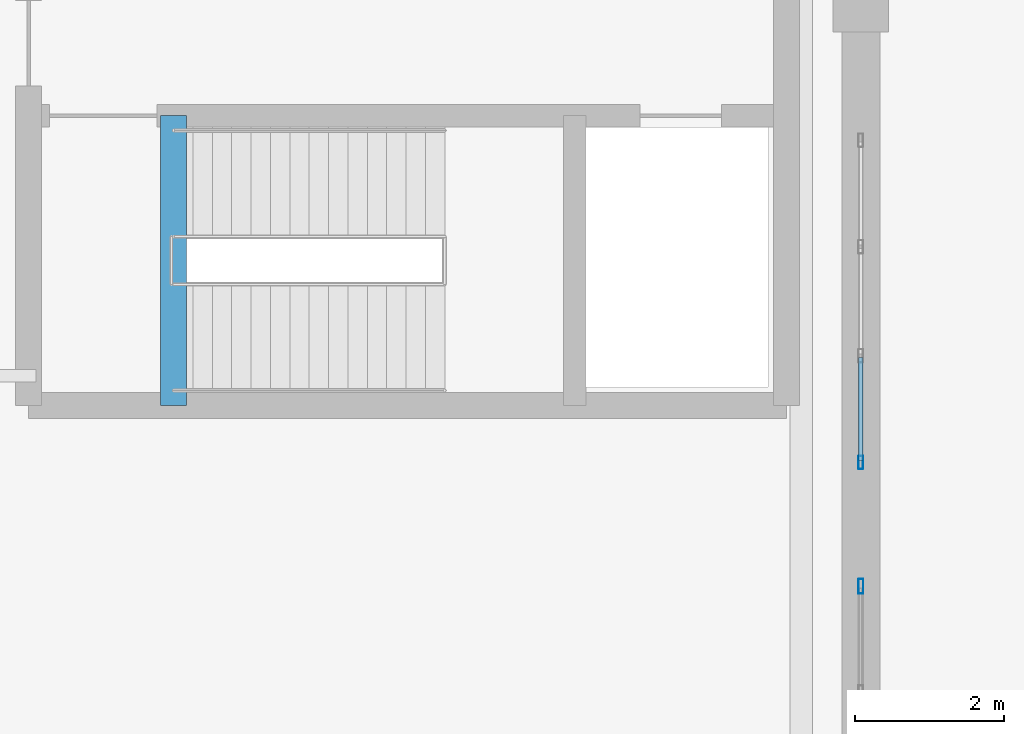
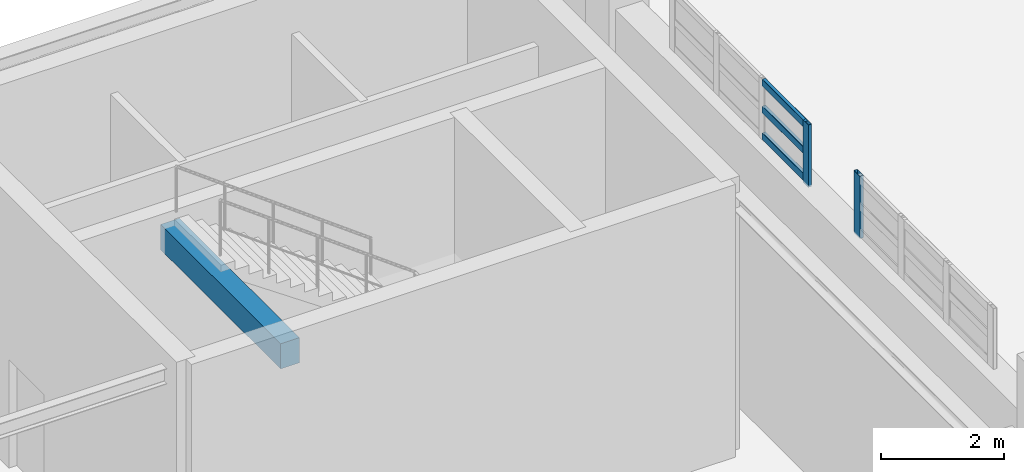
# One storey, part 130 of 197: 5 members, 1 beam, 2 elements without a shape of their own.
"""IFC4 building model written with IfcOpenShell, lengths in metres."""

from ifc_helpers import new_model, si_unit, derived_unit, direction, frame, origin, origin_2d, place, context, subcontext, project, spatial, rectangle, hollow_rectangle, extrude, material, layer, layer_set, material_profile, profile_set, type_object, element, aggregate, save


model = new_model("IFC4")

# Units and contexts
model_context = context("Model", 3, precision=1e-05, world=origin(), true_north=direction((0.0, 1.0)))
body_context = subcontext(model_context, "Body", "Model", "MODEL_VIEW")
ifc_project = project(units=[si_unit("LENGTHUNIT", "METRE"), si_unit("AREAUNIT", "SQUARE_METRE"), si_unit("VOLUMEUNIT", "CUBIC_METRE"), si_unit("PLANEANGLEUNIT", "RADIAN"), si_unit("MASSUNIT", "GRAM", prefix="KILO"), derived_unit("THERMALTRANSMITTANCEUNIT", [(si_unit("POWERUNIT", "WATT"), 1), (si_unit("LENGTHUNIT", "METRE"), -2), (si_unit("THERMODYNAMICTEMPERATUREUNIT", "KELVIN"), -1)])], contexts=[model_context])

# Site, building, storey
site_placement = place(None, origin())
site = spatial("IfcSite", under=ifc_project, at=site_placement, CompositionType="ELEMENT")
building_placement = place(site_placement, origin())
building = spatial("IfcBuilding", under=site, at=building_placement, Name="Almenara Railside Exhibition Hall", CompositionType="ELEMENT")
storey_placement = place(building_placement, frame((0.0, 0.0, 5.39990234375)))
storey = spatial("IfcBuildingStorey", under=building, at=storey_placement, Name="L01", CompositionType="ELEMENT", Elevation=5.39990234375)

# Curtain wall, member
ifc_material_1 = material(Name="Bronze-anodised aluminium and low-E double glazing", Category="aluminium")
ifc_layer = layer(ifc_material_1, 0.179931640625, Name="Bronze-anodised aluminium and low-E double glazing")
ifc_layer_set = layer_set([ifc_layer], Name="Bronze-anodised aluminium and low-E double glazing")
curtain_wall_type = type_object("IfcCurtainWallType", Name="East Hall Clerestory Curtain Wall 4400x2300", PredefinedType="NOTDEFINED", material=ifc_layer_set)
curtain_wall_1_placement = place(storey_placement, origin())
curtain_wall_1 = element("IfcCurtainWall", 1, at=curtain_wall_1_placement, inside=storey, type_object=curtain_wall_type, Name="Curtain wall CW-CL3-068", PredefinedType="NOTDEFINED")
ifc_material_2 = material(Name="Bronze-anodised aluminium", Category="aluminium")
ifc_material_profile_1 = material_profile(ifc_material_2, hollow_rectangle(XDim=0.06494140625, YDim=0.179931640625, WallThickness=0.00390625, InnerFilletRadius=0.00390625, OuterFilletRadius=0.008056640625, at=origin_2d()), Name="ALU-MUL 65x180x4")
ifc_profile_set_1 = profile_set([ifc_material_profile_1], Name="Bronze-anodised aluminium")
member_type_1 = type_object("IfcMemberType", Name="Curtain Wall Mullion 65x180x4", PredefinedType="MULLION", material=ifc_profile_set_1)
member_1_placement = place(storey_placement, frame((138.0, 97.83251953125, 5.4150390625), z_axis=(0.0, 0.0, 1.0), x_axis=(-1.0, 0.0, 0.0)))
member_1 = element("IfcMember", 2, at=member_1_placement, type_object=member_type_1, Name="CW-CL3-068 mullion 1", PredefinedType="MULLION", context=body_context, shape_type="SweptSolid", body=[
    extrude(hollow_rectangle(XDim=0.06494140625, YDim=0.179931640625, WallThickness=0.00390625, InnerFilletRadius=0.00390625, OuterFilletRadius=0.008056640625, at=origin_2d()), origin(), (0.0, 0.0, 1.0), 1.235107421875),
])

curtain_wall_2_placement = place(storey_placement, origin())
curtain_wall_2 = element("IfcCurtainWall", 3, at=curtain_wall_2_placement, inside=storey, type_object=curtain_wall_type, Name="Curtain wall CW-CL3-067", PredefinedType="NOTDEFINED")
ifc_material_profile_2 = material_profile(ifc_material_2, hollow_rectangle(XDim=0.070068359375, YDim=0.199951171875, WallThickness=0.00439453125, InnerFilletRadius=0.00439453125, OuterFilletRadius=0.009033203125, at=origin_2d()), Name="ALU-MUL 70x200x4.5")
ifc_profile_set_2 = profile_set([ifc_material_profile_2], Name="Bronze-anodised aluminium")
member_type_2 = type_object("IfcMemberType", Name="Curtain Wall Mullion 70x200x4.5", PredefinedType="MULLION", material=ifc_profile_set_2)
member_2_placement = place(storey_placement, frame((138.0, 96.1650390625, 5.4150390625), z_axis=(0.0, 0.0, 1.0), x_axis=(-1.0, 0.0, 0.0)))
member_2 = element("IfcMember", 4, at=member_2_placement, type_object=member_type_2, Name="CW-CL3-067 mullion 4", PredefinedType="MULLION", context=body_context, shape_type="SweptSolid", body=[
    extrude(hollow_rectangle(XDim=0.070068359375, YDim=0.199951171875, WallThickness=0.00439453125, InnerFilletRadius=0.00439453125, OuterFilletRadius=0.009033203125, at=origin_2d()), origin(), (0.0, 0.0, 1.0), 1.235107421875),
])
aggregate(curtain_wall_2, [member_2])

# Member
ifc_material_profile_3 = material_profile(ifc_material_2, hollow_rectangle(XDim=0.06494140625, YDim=0.139892578125, WallThickness=0.00341796875, InnerFilletRadius=0.00341796875, OuterFilletRadius=0.007080078125, at=origin_2d()), Name="ALU-TRN 65x140x3.5")
ifc_profile_set_3 = profile_set([ifc_material_profile_3], Name="Bronze-anodised aluminium")
member_type_3 = type_object("IfcMemberType", Name="Curtain Wall Transom 65x140x3.5", PredefinedType="USERDEFINED", material=ifc_profile_set_3)
member_3_placement = place(storey_placement, frame((138.0, 97.85693359375, 5.52001953125), z_axis=(0.0, 1.0, 0.0), x_axis=(-1.0, 0.0, 0.0)))
member_3 = element("IfcMember", 5, at=member_3_placement, type_object=member_type_3, Name="CW-CL3-068 transom 1.1", ObjectType="TRANSOM", PredefinedType="USERDEFINED", context=body_context, shape_type="SweptSolid", body=[
    extrude(hollow_rectangle(XDim=0.06494140625, YDim=0.139892578125, WallThickness=0.00341796875, InnerFilletRadius=0.00341796875, OuterFilletRadius=0.007080078125, at=origin_2d()), origin(), (0.0, 0.0, 1.0), 1.38525390625),
])

member_4_placement = place(storey_placement, frame((138.0, 97.85693359375, 6.050048828125), z_axis=(0.0, 1.0, 0.0), x_axis=(-1.0, 0.0, 0.0)))
member_4 = element("IfcMember", 6, at=member_4_placement, type_object=member_type_3, Name="CW-CL3-068 transom 1.2", ObjectType="TRANSOM", PredefinedType="USERDEFINED", context=body_context, shape_type="SweptSolid", body=[
    extrude(hollow_rectangle(XDim=0.06494140625, YDim=0.139892578125, WallThickness=0.00341796875, InnerFilletRadius=0.00341796875, OuterFilletRadius=0.007080078125, at=origin_2d()), origin(), (0.0, 0.0, 1.0), 1.38525390625),
])

member_5_placement = place(storey_placement, frame((138.0, 97.85693359375, 6.580078125), z_axis=(0.0, 1.0, 0.0), x_axis=(-1.0, 0.0, 0.0)))
member_5 = element("IfcMember", 7, at=member_5_placement, type_object=member_type_3, Name="CW-CL3-068 transom 1.3", ObjectType="TRANSOM", PredefinedType="USERDEFINED", context=body_context, shape_type="SweptSolid", body=[
    extrude(hollow_rectangle(XDim=0.06494140625, YDim=0.139892578125, WallThickness=0.00341796875, InnerFilletRadius=0.00341796875, OuterFilletRadius=0.007080078125, at=origin_2d()), origin(), (0.0, 0.0, 1.0), 1.38525390625),
])

aggregate(curtain_wall_1, [member_1, member_3, member_4, member_5])

# Beam
ifc_material_3 = material(Name="Concrete C35/45", Category="concrete")
ifc_material_profile_4 = material_profile(ifc_material_3, rectangle(XDim=0.35009765625, YDim=0.5, at=origin_2d()), Name="RC 350x500")
ifc_profile_set_4 = profile_set([ifc_material_profile_4], Name="Concrete C35/45")
beam_type = type_object("IfcBeamType", Name="RC Spandrel Tie Beam 350x500 C35/45", PredefinedType="SPANDREL", material=ifc_profile_set_4)
beam_placement = place(storey_placement, frame((128.75, 98.60009765625, 4.836181640625), z_axis=(0.0, 1.0, 0.0), x_axis=(-1.0, 0.0, 0.0)))
element("IfcBeam", 8, at=beam_placement, inside=storey, type_object=beam_type, Name="Stair trimmer ST-C8-L01", PredefinedType="SPANDREL", context=body_context, shape_type="SweptSolid", body=[
    extrude(rectangle(XDim=0.35009765625, YDim=0.5, at=origin_2d()), origin(), (0.0, 0.0, 1.0), 3.89990234375),
])

save(model, "model.ifc")
